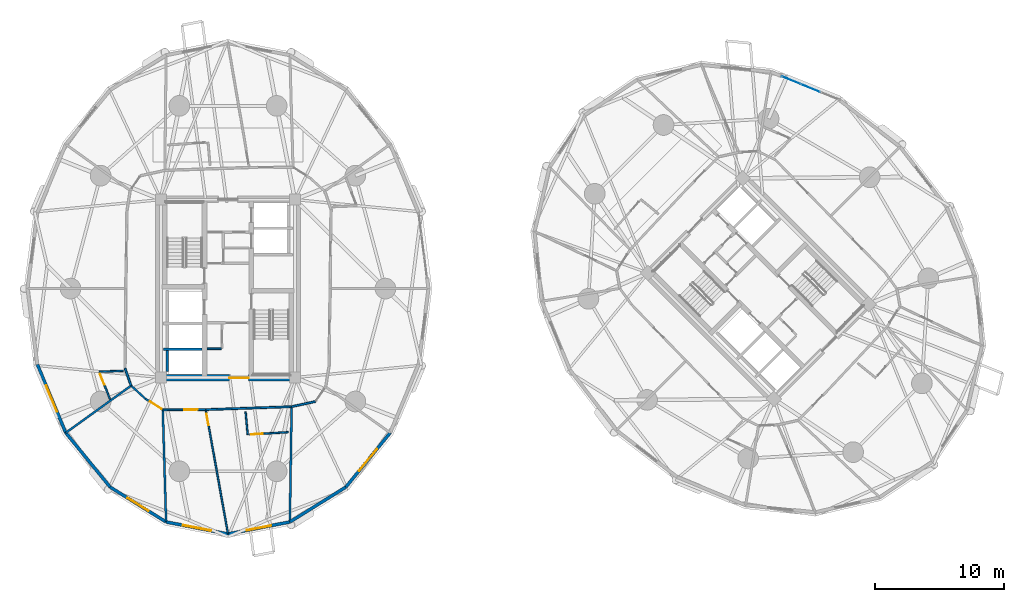
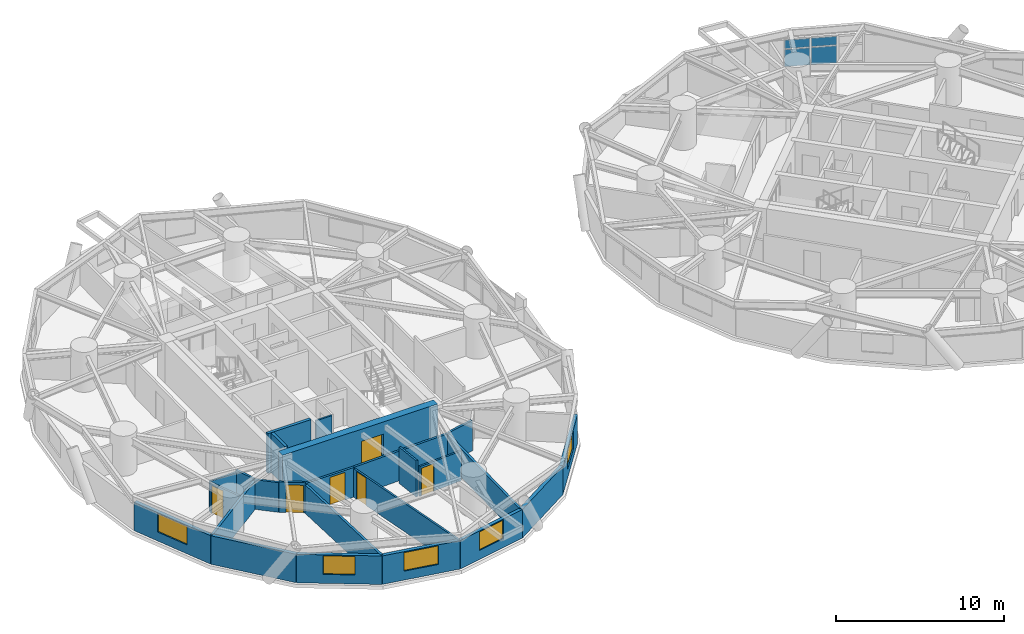
# One storey, part 9 of 18: 25 walls, 6 doors, 5 windows, 4 plates, 11 openings, 1 element without a shape of its own.
"""IFC4 building model written with IfcOpenShell, lengths in metres."""

import ifcopenshell
import ifcopenshell.guid

model = None  # the IFC model being written
_history = None  # IfcOwnerHistory: only IFC2X3 demands one
_inside = {}  # id of a spatial element -> (the spatial element, [elements in it])
_under = {}  # id of a project, library or spatial element -> (it, [spatial elements below it])
_declared = {}  # id of a project -> (the project, [libraries it declares])
_typed = {}  # id of a type object -> (the type object, [elements of that type])
_made_of = {}  # id of a material, layer set ... -> (it, [elements and type objects made of it])


def new_model(schema):
    """Start an empty IFC model of exactly this schema.

    Asked for "IFC4X3", IfcOpenShell would pick the latest addendum, in which some entities
    have other attributes; the version numbers below select the first issue.
    IFC2X3 requires an IfcOwnerHistory on every rooted entity: one is made here for all.
    """
    global model, _history
    if schema == "IFC4X3":
        model = ifcopenshell.file(schema_version=(4, 3, 0, 0))
    else:
        model = ifcopenshell.file(schema=schema)
    _inside.clear()
    _under.clear()
    _declared.clear()
    _typed.clear()
    _made_of.clear()
    _history = None
    if model.schema == "IFC2X3":
        org = make("IfcOrganization", Name="unknown")
        user = make(
            "IfcPersonAndOrganization",
            ThePerson=make("IfcPerson", FamilyName="unknown"),
            TheOrganization=org,
        )
        app = make(
            "IfcApplication",
            ApplicationDeveloper=org,
            Version="unknown",
            ApplicationFullName="unknown",
            ApplicationIdentifier="unknown",
        )
        _history = make(
            "IfcOwnerHistory",
            OwningUser=user,
            OwningApplication=app,
            ChangeAction="ADDED",
            CreationDate=0,
        )
    return model


def make(cls, **values):
    """One entity of the class cls with the attributes given. An attribute that is None is left unset."""
    return model.create_entity(
        cls, **{name: value for name, value in values.items() if value is not None}
    )


def rooted(cls, **values):
    """An entity with a GlobalId (a new one), such as an element, a storey or a relation."""
    return make(cls, GlobalId=ifcopenshell.guid.new(), OwnerHistory=_history, **values)


def si_unit(unit_type, name, prefix=None):
    """IfcSIUnit, for example si_unit("LENGTHUNIT", "METRE", prefix="MILLI")."""
    return make("IfcSIUnit", UnitType=unit_type, Prefix=prefix, Name=name)


def assignment(units):
    """IfcUnitAssignment: the units of a project."""
    return None if units is None else make("IfcUnitAssignment", Units=units)


def point(xyz):
    """IfcCartesianPoint."""
    return None if xyz is None else make("IfcCartesianPoint", Coordinates=xyz)


def direction(xyz):
    """IfcDirection."""
    return None if xyz is None else make("IfcDirection", DirectionRatios=xyz)


def frame(location, z_axis=None, x_axis=None):
    """IfcAxis2Placement3D, a coordinate frame: its origin and axes. An axis left out is left unset."""
    return make(
        "IfcAxis2Placement3D",
        Location=point(location),
        Axis=direction(z_axis),
        RefDirection=direction(x_axis),
    )


def frame_2d(location, x_axis=None):
    """IfcAxis2Placement2D, a coordinate frame in the plane: its origin and x axis."""
    return make(
        "IfcAxis2Placement2D", Location=point(location), RefDirection=direction(x_axis)
    )


def origin():
    """The frame at (0, 0, 0) with its axes left unset."""
    return frame((0.0, 0.0, 0.0))


def origin_2d():
    """The frame at (0, 0) in the plane with its x axis left unset."""
    return frame_2d((0.0, 0.0))


def place(relative_to, where):
    """IfcLocalPlacement: puts the frame where relative to a parent placement (None: the world)."""
    return make(
        "IfcLocalPlacement", PlacementRelTo=relative_to, RelativePlacement=where
    )


def context(
    kind, dimensions, precision=None, world=None, true_north=None, identifier=None
):
    """IfcGeometricRepresentationContext, for example the 3D "Model" context."""
    return make(
        "IfcGeometricRepresentationContext",
        ContextIdentifier=identifier,
        ContextType=kind,
        CoordinateSpaceDimension=dimensions,
        Precision=precision,
        WorldCoordinateSystem=world,
        TrueNorth=true_north,
    )


def subcontext(parent, identifier, kind, view, scale=None):
    """IfcGeometricRepresentationSubContext, for example "Body" below "Model"."""
    return make(
        "IfcGeometricRepresentationSubContext",
        ContextIdentifier=identifier,
        ContextType=kind,
        ParentContext=parent,
        TargetScale=scale,
        TargetView=view,
    )


def project(units=None, contexts=None):
    """IfcProject with its units and contexts."""
    return rooted(
        "IfcProject",
        Name="project",
        RepresentationContexts=contexts,
        UnitsInContext=assignment(units),
    )


def spatial(cls, under=None, at=None, **own):
    """A site, building, storey or space (cls), placed at a placement, below another one or the project."""
    s = rooted(cls, ObjectPlacement=at, **own)
    if under is not None:
        _under.setdefault(under.id(), (under, []))[1].append(s)
    return s


def profile(cls, at=None, kind="AREA", **sizes):
    """A parametric profile (cls). Its sizes go by their IFC names, for example OverallWidth=200.0."""
    return make(cls, ProfileType=kind, Position=at, **sizes)


def rectangle(**sizes):
    """IfcRectangleProfileDef."""
    return profile("IfcRectangleProfileDef", **sizes)


def extrude(swept, where, along, depth):
    """IfcExtrudedAreaSolid: the profile swept, set in the frame where, extruded along a direction by depth."""
    return make(
        "IfcExtrudedAreaSolid",
        SweptArea=swept,
        Position=where,
        ExtrudedDirection=direction(along),
        Depth=depth,
    )


def shape(context_of_items, identifier, shape_type, items):
    """IfcShapeRepresentation: the items that make up one representation, for example the "Body"."""
    return make(
        "IfcShapeRepresentation",
        ContextOfItems=context_of_items,
        RepresentationIdentifier=identifier,
        RepresentationType=shape_type,
        Items=items,
    )


def source(mapping_origin, context_of_items, identifier, shape_type, items):
    """IfcRepresentationMap: a shape defined once, which mapped items show again and again."""
    return make(
        "IfcRepresentationMap",
        MappingOrigin=mapping_origin,
        MappedRepresentation=shape(context_of_items, identifier, shape_type, items),
    )


def transform(
    local_origin,
    x_axis=None,
    y_axis=None,
    z_axis=None,
    scale=None,
    scale2=None,
    scale3=None,
    uniform=True,
):
    """IfcCartesianTransformationOperator3D, or its non-uniform kind. x_axis, y_axis, z_axis: its Axis1, 2, 3."""
    if uniform:
        return make(
            "IfcCartesianTransformationOperator3D",
            Axis1=direction(x_axis),
            Axis2=direction(y_axis),
            LocalOrigin=point(local_origin),
            Scale=scale,
            Axis3=direction(z_axis),
        )
    return make(
        "IfcCartesianTransformationOperator3DnonUniform",
        Axis1=direction(x_axis),
        Axis2=direction(y_axis),
        LocalOrigin=point(local_origin),
        Scale=scale,
        Axis3=direction(z_axis),
        Scale2=scale2,
        Scale3=scale3,
    )


def mapped(mapping_source, mapping_target):
    """IfcMappedItem: shows the shape of a source again, moved by a transform."""
    return make(
        "IfcMappedItem", MappingSource=mapping_source, MappingTarget=mapping_target
    )


def material(Name=None, Category=None):
    """IfcMaterial."""
    return make("IfcMaterial", Name=Name, Category=Category)


def layer(
    of_material, thickness, ventilated=None, Name=None, Category=None, Priority=None
):
    """IfcMaterialLayer: one layer of a wall or slab, of a material (None: an air gap)."""
    return make(
        "IfcMaterialLayer",
        Material=of_material,
        LayerThickness=thickness,
        IsVentilated=ventilated,
        Name=Name,
        Category=Category,
        Priority=Priority,
    )


def layer_set(layers, Name=None):
    """IfcMaterialLayerSet."""
    return make("IfcMaterialLayerSet", MaterialLayers=layers, LayerSetName=Name)


def made_of(thing, what):
    """Note that an element or type object is made of a material, layer set ...; save() writes the relation."""
    if what is not None:
        _made_of.setdefault(what.id(), (what, []))[1].append(thing)
    return thing


def type_object(cls, material=None, **own):
    """A type object (cls), such as IfcWallType, which elements share."""
    return made_of(rooted(cls, **own), material)


def element(
    cls,
    number,
    at=None,
    inside=None,
    cuts=None,
    type_object=None,
    material=None,
    context=None,
    identifier="Body",
    shape_type=None,
    held_by="IfcProductDefinitionShape",
    body=None,
    shapes=None,
    **own,
):
    """One element of the class cls, such as IfcWall. Its Tag is "e" and its number.

    at: its placement. inside: the storey or other place that contains it. cuts: it is an
    opening in that element (IfcRelVoidsElement). A single representation is given by context,
    identifier, shape_type and body (its items); several are given by shapes. held_by: the class
    of the entity that holds the representations. save() writes the other relations.
    """
    e = rooted(cls, Tag="e%d" % number, ObjectPlacement=at, **own)
    if body is not None:
        shapes = [shape(context, identifier, shape_type, body)]
    if shapes is not None:
        e.Representation = make(held_by, Representations=shapes)
    if inside is not None:
        _inside.setdefault(inside.id(), (inside, []))[1].append(e)
    if cuts is not None:
        rooted(
            "IfcRelVoidsElement", RelatingBuildingElement=cuts, RelatedOpeningElement=e
        )
    if type_object is not None:
        _typed.setdefault(type_object.id(), (type_object, []))[1].append(e)
    return made_of(e, material)


def fill(opening, filler):
    """IfcRelFillsElement: the door or window that sits in an opening."""
    return rooted(
        "IfcRelFillsElement",
        RelatingOpeningElement=opening,
        RelatedBuildingElement=filler,
    )


def aggregate(whole, parts):
    """IfcRelAggregates: a whole, such as a stair, and the parts it consists of."""
    return rooted("IfcRelAggregates", RelatingObject=whole, RelatedObjects=parts)


def save(model, path):
    """Write the relations noted so far, then the file.

    IfcRelAggregates (storeys below a building ...), IfcRelContainedInSpatialStructure (elements
    in a storey), IfcRelDefinesByType, IfcRelAssociatesMaterial and IfcRelDeclares: one each for
    every whole, place, type object, material and project.
    """
    for whole, parts in _under.values():
        aggregate(whole, parts)
    for where, things in _inside.values():
        rooted(
            "IfcRelContainedInSpatialStructure",
            RelatedElements=things,
            RelatingStructure=where,
        )
    for kind, things in _typed.values():
        rooted("IfcRelDefinesByType", RelatedObjects=things, RelatingType=kind)
    for what, things in _made_of.values():
        rooted("IfcRelAssociatesMaterial", RelatedObjects=things, RelatingMaterial=what)
    for by, libraries in _declared.values():
        rooted("IfcRelDeclares", RelatingContext=by, RelatedDefinitions=libraries)
    model.write(path)


model = new_model("IFC4")

# Units and contexts
model_context = context("Model", 3, precision=1e-05, world=origin(), true_north=direction((0.0, 1.0)))
body_context = subcontext(model_context, "Body", "Model", "MODEL_VIEW")
ifc_project = project(units=[si_unit("LENGTHUNIT", "METRE"), si_unit("AREAUNIT", "SQUARE_METRE"), si_unit("VOLUMEUNIT", "CUBIC_METRE"), si_unit("PLANEANGLEUNIT", "RADIAN"), si_unit("MASSUNIT", "GRAM", prefix="KILO")], contexts=[model_context])

# Site, building, storey
site_placement = place(None, origin())
site = spatial("IfcSite", under=ifc_project, at=site_placement, CompositionType="ELEMENT")
building_placement = place(site_placement, origin())
building = spatial("IfcBuilding", under=site, at=building_placement, Name="Cununo Teusaquillo Station Towers", CompositionType="ELEMENT")
storey_placement = place(building_placement, frame((0.0, 0.0, 36.550048828125)))
storey = spatial("IfcBuildingStorey", under=building, at=storey_placement, Name="L10", CompositionType="ELEMENT", Elevation=36.550048828125)

# Curtain wall, plates
ifc_material_1 = material(Name="Ceramic-fritted dark low-E double glazing", Category="glass")
ifc_layer_1 = layer(ifc_material_1, 0.179931640625)
ifc_layer_set_1 = layer_set([ifc_layer_1], Name="Ceramic-fritted dark low-E double glazing")
curtain_wall_type = type_object("IfcCurtainWallType", Name="CW-SYS-02", PredefinedType="USERDEFINED", material=ifc_layer_set_1)
curtain_wall_placement = place(storey_placement, origin())
curtain_wall = element("IfcCurtainWall", 1, at=curtain_wall_placement, inside=storey, type_object=curtain_wall_type, Name="L10 Tower B Facade Curtain Wall C01", ObjectType="FRITTED GLAZING", PredefinedType="USERDEFINED")
ifc_material_2 = material(Name="Ceramic-fritted dark low-E double glazing", Category="glass")
ifc_layer_2 = layer(ifc_material_2, 0.028076171875)
ifc_layer_set_2 = layer_set([ifc_layer_2], Name="Ceramic-fritted dark low-E double glazing")
plate_type = type_object("IfcPlateType", Name="CWP-FRIT-28", PredefinedType="CURTAIN_PANEL", material=ifc_layer_set_2)
shared_shape_1 = source(origin(), body_context, "Body", "SweptSolid", [
    extrude(rectangle(XDim=1.52099609375, YDim=0.028076171875, at=origin_2d()), origin(), (0.0, 0.0, 1.0), 1.241943359375),
])
plate_1_placement = place(storey_placement, frame((60.03564453125, 40.610595703125, 0.06982421875), z_axis=(0.0, 0.0, 1.0), x_axis=(0.924552379146, -0.381054980568, 0.0)))
plate_1 = element("IfcPlate", 2, at=plate_1_placement, type_object=plate_type, Name="CW-02 panel 1.1", PredefinedType="CURTAIN_PANEL", context=body_context, shape_type="MappedRepresentation", body=[
    mapped(shared_shape_1, transform((0.0, 0.0, 0.0), x_axis=(1.0, 0.0, 0.0), y_axis=(0.0, 1.0, 0.0), z_axis=(0.0, 0.0, 1.0), scale=1.0)),
])
shared_shape_2 = source(origin(), body_context, "Body", "SweptSolid", [
    extrude(rectangle(XDim=1.52099609375, YDim=0.028076171875, at=origin_2d()), origin(), (0.0, 0.0, 1.0), 0.62109375),
])
plate_2_placement = place(storey_placement, frame((60.03564453125, 40.610595703125, 1.3818359375), z_axis=(0.0, 0.0, 1.0), x_axis=(0.924552379146, -0.381054980568, 0.0)))
plate_2 = element("IfcPlate", 3, at=plate_2_placement, type_object=plate_type, Name="CW-02 panel 1.2", PredefinedType="CURTAIN_PANEL", context=body_context, shape_type="MappedRepresentation", body=[
    mapped(shared_shape_2, transform((0.0, 0.0, 0.0), x_axis=(1.0, 0.0, 0.0), y_axis=(0.0, 1.0, 0.0), z_axis=(0.0, 0.0, 1.0), scale=1.0)),
])
shared_shape_3 = source(origin(), body_context, "Body", "SweptSolid", [
    extrude(rectangle(XDim=1.555908203125, YDim=0.028076171875, at=origin_2d()), origin(), (0.0, 0.0, 1.0), 1.241943359375),
])
plate_3_placement = place(storey_placement, frame((61.52294921875, 39.99755859375, 0.06982421875), z_axis=(0.0, 0.0, 1.0), x_axis=(0.924552379146, -0.381054980568, 0.0)))
plate_3 = element("IfcPlate", 4, at=plate_3_placement, type_object=plate_type, Name="CW-02 panel 2.1", PredefinedType="CURTAIN_PANEL", context=body_context, shape_type="MappedRepresentation", body=[
    mapped(shared_shape_3, transform((0.0, 0.0, 0.0), x_axis=(1.0, 0.0, 0.0), y_axis=(0.0, 1.0, 0.0), z_axis=(0.0, 0.0, 1.0), scale=1.0)),
])
shared_shape_4 = source(origin(), body_context, "Body", "SweptSolid", [
    extrude(rectangle(XDim=1.555908203125, YDim=0.028076171875, at=origin_2d()), origin(), (0.0, 0.0, 1.0), 0.62109375),
])
plate_4_placement = place(storey_placement, frame((61.52294921875, 39.99755859375, 1.3818359375), z_axis=(0.0, 0.0, 1.0), x_axis=(0.924552379146, -0.381054980568, 0.0)))
plate_4 = element("IfcPlate", 5, at=plate_4_placement, type_object=plate_type, Name="CW-02 panel 2.2", PredefinedType="CURTAIN_PANEL", context=body_context, shape_type="MappedRepresentation", body=[
    mapped(shared_shape_4, transform((0.0, 0.0, 0.0), x_axis=(1.0, 0.0, 0.0), y_axis=(0.0, 1.0, 0.0), z_axis=(0.0, 0.0, 1.0), scale=1.0)),
])
aggregate(curtain_wall, [plate_1, plate_2, plate_3, plate_4])

# Walls
ifc_material_3 = material(Name="Concrete C50/60", Category="concrete")
ifc_layer_3 = layer(ifc_material_3, 0.199951171875)
ifc_layer_set_3 = layer_set([ifc_layer_3], Name="Concrete C50/60")
wall_type_1 = type_object("IfcWallType", Name="WL-CORE-200", PredefinedType="SHEAR", material=ifc_layer_set_3)
wall_1_placement = place(storey_placement, frame((11.52001953125, 19.824951171875, 0.0), z_axis=(0.0, 0.0, 1.0), x_axis=(1.0, 0.0, 0.0)))
element("IfcWall", 6, at=wall_1_placement, inside=storey, type_object=wall_type_1, Name="L10 Tower A High-Rise Lift Hoistway Divider Shear Wall", PredefinedType="SHEAR", context=body_context, shape_type="SweptSolid", body=[
    extrude(rectangle(XDim=2.969970703125, YDim=0.199951171875, at=frame_2d((1.48486328125, 0.0))), origin(), (0.0, 0.0, 1.0), 2.909912109375),
])
wall_2_placement = place(storey_placement, frame((11.820068359375, 18.070068359375, 0.0), z_axis=(0.0, 0.0, 1.0), x_axis=(0.0, 1.0, 0.0)))
element("IfcWall", 7, at=wall_2_placement, inside=storey, type_object=wall_type_1, Name="L10 Tower A High-Rise Lift 1 Shaft Rear Shear Wall", PredefinedType="SHEAR", context=body_context, shape_type="SweptSolid", body=[
    extrude(rectangle(XDim=1.635009765625, YDim=0.199951171875, at=frame_2d((0.8173828125, 0.0))), origin(), (0.0, 0.0, 1.0), 2.909912109375),
])

# Wall, opening, door
ifc_material_4 = material(Name="Concrete C60/75", Category="concrete")
ifc_layer_4 = layer(ifc_material_4, 0.5)
ifc_layer_set_4 = layer_set([ifc_layer_4], Name="Concrete C60/75")
wall_type_2 = type_object("IfcWallType", Name="WL-CORE-500", PredefinedType="SHEAR", material=ifc_layer_set_4)
wall_3_placement = place(storey_placement, frame((11.14990234375, 17.60009765625, 0.0), z_axis=(0.0, 0.0, 1.0), x_axis=(1.0, 0.0, 0.0)))
wall_3 = element("IfcWall", 8, at=wall_3_placement, inside=storey, type_object=wall_type_2, Name="L10 Tower A Core Shear Wall S", PredefinedType="SHEAR", context=body_context, shape_type="SweptSolid", body=[
    extrude(rectangle(XDim=10.7001953125, YDim=0.5, at=frame_2d((5.35009765625, 0.0))), origin(), (0.0, 0.0, 1.0), 2.909912109375),
])
shared_shape_5 = source(origin(), body_context, "Body", "SweptSolid", [
    extrude(rectangle(XDim=1.5, YDim=2.02001953125, at=frame_2d((0.75, 1.010009765625))), frame((0.0, 0.260009765625, 0.0), z_axis=(0.0, -1.0, 0.0), x_axis=(1.0, 0.0, 0.0)), (0.0, 0.0, 1.0), 0.52001953125),
])
opening_1_placement = place(wall_3_placement, frame((5.449951171875, 0.0, 0.0)))
opening_1 = element("IfcOpeningElement", 9, at=opening_1_placement, cuts=wall_3, Name="Opening D-LB1", PredefinedType="OPENING", context=body_context, shape_type="MappedRepresentation", body=[
    mapped(shared_shape_5, transform((0.0, 0.0, 0.0), x_axis=(1.0, 0.0, 0.0), y_axis=(0.0, 1.0, 0.0), z_axis=(0.0, 0.0, 1.0), scale=1.0)),
])
ifc_material_5 = material(Name="Galvanised fire-rated hollow steel door assembly", Category="steel")
door_type_1 = type_object("IfcDoorType", Name="DR-LOBBY-1500", OperationType="DOUBLE_DOOR_SINGLE_SWING", PredefinedType="DOOR", material=ifc_material_5)
shared_shape_6 = source(origin(), body_context, "Body", "SweptSolid", [
    extrude(rectangle(XDim=1.5, YDim=2.02001953125, at=frame_2d((0.75, 1.010009765625))), frame((0.0, 0.02490234375, 0.0), z_axis=(0.0, -1.0, 0.0), x_axis=(1.0, 0.0, 0.0)), (0.0, 0.0, 1.0), 0.050048828125),
])
door_1_placement = place(opening_1_placement, origin())
door_1 = element("IfcDoor", 10, at=door_1_placement, inside=storey, type_object=door_type_1, Name="L10 Tower A South Core Lift Lobby Door", OperationType="DOUBLE_DOOR_SINGLE_SWING", OverallHeight=2.02001953125, OverallWidth=1.5, PredefinedType="DOOR", context=body_context, shape_type="MappedRepresentation", body=[
    mapped(shared_shape_6, transform((0.0, 0.0, 0.0), x_axis=(1.0, 0.0, 0.0), y_axis=(0.0, 1.0, 0.0), z_axis=(0.0, 0.0, 1.0), scale=1.0)),
])
fill(opening_1, door_1)

# Wall, opening, window
ifc_material_6 = material(Name="Precast concrete C40/50", Category="concrete")
ifc_layer_5 = layer(ifc_material_6, 0.239990234375)
ifc_layer_set_5 = layer_set([ifc_layer_5], Name="Precast concrete C40/50")
wall_type_3 = type_object("IfcWallType", Name="WL-EXT-240", PredefinedType="SOLIDWALL", material=ifc_layer_set_5)
wall_4_placement = place(storey_placement, frame((3.9609375, 13.349609375, 0.0), z_axis=(0.0, 0.0, 1.0), x_axis=(-0.38430970593, 0.923204229804, 0.0)))
wall_4 = element("IfcWall", 11, at=wall_4_placement, inside=storey, type_object=wall_type_3, Name="L10 Tower A Exterior Facade Wall C11", PredefinedType="SOLIDWALL", context=body_context, shape_type="SweptSolid", body=[
    extrude(rectangle(XDim=5.728271484375, YDim=0.239990234375, at=frame_2d((2.8642578125, 0.0))), origin(), (0.0, 0.0, 1.0), 2.072998046875),
])
shared_shape_7 = source(origin(), body_context, "Body", "SweptSolid", [
    extrude(rectangle(XDim=2.199951171875, YDim=1.35009765625, at=frame_2d((1.10009765625, 0.675048828125))), frame((0.0, 0.1298828125, 0.0), z_axis=(0.0, -1.0, 0.0), x_axis=(1.0, 0.0, 0.0)), (0.0, 0.0, 1.0), 0.260009765625),
])
opening_2_placement = place(wall_4_placement, frame((1.763916015625, 0.0, 0.64990234375)))
opening_2 = element("IfcOpeningElement", 12, at=opening_2_placement, cuts=wall_4, Name="Opening WN-01", PredefinedType="OPENING", context=body_context, shape_type="MappedRepresentation", body=[
    mapped(shared_shape_7, transform((0.0, 0.0, 0.0), x_axis=(1.0, 0.0, 0.0), y_axis=(0.0, 1.0, 0.0), z_axis=(0.0, 0.0, 1.0), scale=1.0)),
])
ifc_material_7 = material(Name="Ceramic-fritted dark low-E double glazing", Category="glass")
window_type_1 = type_object("IfcWindowType", Name="WIN-FRIT-2200", PartitioningType="DOUBLE_PANEL_VERTICAL", PredefinedType="WINDOW", material=ifc_material_7)
shared_shape_8 = source(origin(), body_context, "Body", "SweptSolid", [
    extrude(rectangle(XDim=2.199951171875, YDim=1.35009765625, at=frame_2d((1.10009765625, 0.675048828125))), frame((0.0, 0.030029296875, 0.0), z_axis=(0.0, -1.0, 0.0), x_axis=(1.0, 0.0, 0.0)), (0.0, 0.0, 1.0), 0.06005859375),
])
window_1_placement = place(opening_2_placement, origin())
window_1 = element("IfcWindow", 13, at=window_1_placement, inside=storey, type_object=window_type_1, Name="L10 Tower A Facade Window C11", OverallHeight=1.35009765625, OverallWidth=2.199951171875, PartitioningType="DOUBLE_PANEL_VERTICAL", PredefinedType="WINDOW", context=body_context, shape_type="MappedRepresentation", body=[
    mapped(shared_shape_8, transform((0.0, 0.0, 0.0), x_axis=(1.0, 0.0, 0.0), y_axis=(0.0, 1.0, 0.0), z_axis=(0.0, 0.0, 1.0), scale=1.0)),
])
fill(opening_2, window_1)

# Wall
wall_5_placement = place(storey_placement, frame((7.389892578125, 9.15283203125, 0.0), z_axis=(0.0, 0.0, 1.0), x_axis=(-0.632710215588, 0.774388651189, 0.0)))
element("IfcWall", 14, at=wall_5_placement, inside=storey, type_object=wall_type_3, Name="L10 Tower A Exterior Facade Wall C12", PredefinedType="SOLIDWALL", context=body_context, shape_type="SweptSolid", body=[
    extrude(rectangle(XDim=5.41943359375, YDim=0.239990234375, at=frame_2d((2.709716796875, 0.0))), origin(), (0.0, 0.0, 1.0), 2.072998046875),
])

# Wall, opening, window
wall_6_placement = place(storey_placement, frame((11.71044921875, 6.45849609375, 0.0), z_axis=(0.0, 0.0, 1.0), x_axis=(-0.848528534887, 0.529149624853, 0.0)))
wall_6 = element("IfcWall", 15, at=wall_6_placement, inside=storey, type_object=wall_type_3, Name="L10 Tower A Exterior Facade Wall C13", PredefinedType="SOLIDWALL", context=body_context, shape_type="SweptSolid", body=[
    extrude(rectangle(XDim=5.091796875, YDim=0.239990234375, at=frame_2d((2.5458984375, 0.0))), origin(), (0.0, 0.0, 1.0), 2.072998046875),
])
shared_shape_9 = source(origin(), body_context, "Body", "SweptSolid", [
    extrude(rectangle(XDim=1.89990234375, YDim=1.35009765625, at=frame_2d((0.949951171875, 0.675048828125))), frame((0.0, 0.1298828125, 0.0), z_axis=(0.0, -1.0, 0.0), x_axis=(1.0, 0.0, 0.0)), (0.0, 0.0, 1.0), 0.260009765625),
])
opening_3_placement = place(wall_6_placement, frame((1.595947265625, 0.0, 0.64990234375)))
opening_3 = element("IfcOpeningElement", 16, at=opening_3_placement, cuts=wall_6, Name="Opening WN-02", PredefinedType="OPENING", context=body_context, shape_type="MappedRepresentation", body=[
    mapped(shared_shape_9, transform((0.0, 0.0, 0.0), x_axis=(1.0, 0.0, 0.0), y_axis=(0.0, 1.0, 0.0), z_axis=(0.0, 0.0, 1.0), scale=1.0)),
])
ifc_material_8 = material(Name="Operable acoustic tinted low-E double glazing", Category="glass")
window_type_2 = type_object("IfcWindowType", Name="WIN-OPER-1900", PartitioningType="DOUBLE_PANEL_VERTICAL", PredefinedType="WINDOW", material=ifc_material_8)
shared_shape_10 = source(origin(), body_context, "Body", "SweptSolid", [
    extrude(rectangle(XDim=1.89990234375, YDim=1.35009765625, at=frame_2d((0.949951171875, 0.675048828125))), frame((0.0, 0.030029296875, 0.0), z_axis=(0.0, -1.0, 0.0), x_axis=(1.0, 0.0, 0.0)), (0.0, 0.0, 1.0), 0.06005859375),
])
window_2_placement = place(opening_3_placement, origin())
window_2 = element("IfcWindow", 17, at=window_2_placement, inside=storey, type_object=window_type_2, Name="L10 Tower A Facade Window C13", OverallHeight=1.35009765625, OverallWidth=1.89990234375, PartitioningType="DOUBLE_PANEL_VERTICAL", PredefinedType="WINDOW", context=body_context, shape_type="MappedRepresentation", body=[
    mapped(shared_shape_10, transform((0.0, 0.0, 0.0), x_axis=(1.0, 0.0, 0.0), y_axis=(0.0, 1.0, 0.0), z_axis=(0.0, 0.0, 1.0), scale=1.0)),
])
fill(opening_3, window_2)

wall_7_placement = place(storey_placement, frame((16.5, 5.530029296875, 0.0), z_axis=(0.0, 0.0, 1.0), x_axis=(-0.981724094622, 0.190309752872, 0.0)))
wall_7 = element("IfcWall", 18, at=wall_7_placement, inside=storey, type_object=wall_type_3, Name="L10 Tower A Exterior Facade Wall C14", PredefinedType="SOLIDWALL", context=body_context, shape_type="SweptSolid", body=[
    extrude(rectangle(XDim=4.878662109375, YDim=0.239990234375, at=frame_2d((2.439453125, 0.0))), origin(), (0.0, 0.0, 1.0), 2.072998046875),
])
opening_4_placement = place(wall_7_placement, frame((1.339111328125, 0.0, 0.64990234375)))
opening_4 = element("IfcOpeningElement", 19, at=opening_4_placement, cuts=wall_7, Name="Opening WN-01", PredefinedType="OPENING", context=body_context, shape_type="MappedRepresentation", body=[
    mapped(shared_shape_7, transform((0.0, 0.0, 0.0), x_axis=(1.0, 0.0, 0.0), y_axis=(0.0, 1.0, 0.0), z_axis=(0.0, 0.0, 1.0), scale=1.0)),
])
window_3_placement = place(opening_4_placement, origin())
window_3 = element("IfcWindow", 20, at=window_3_placement, inside=storey, type_object=window_type_1, Name="L10 Tower A Facade Window C14", OverallHeight=1.35009765625, OverallWidth=2.199951171875, PartitioningType="DOUBLE_PANEL_VERTICAL", PredefinedType="WINDOW", context=body_context, shape_type="MappedRepresentation", body=[
    mapped(shared_shape_8, transform((0.0, 0.0, 0.0), x_axis=(1.0, 0.0, 0.0), y_axis=(0.0, 1.0, 0.0), z_axis=(0.0, 0.0, 1.0), scale=1.0)),
])
fill(opening_4, window_3)

wall_8_placement = place(storey_placement, frame((21.28955078125, 6.45849609375, 0.0), z_axis=(0.0, 0.0, 1.0), x_axis=(-0.981724094622, -0.190309752872, 0.0)))
wall_8 = element("IfcWall", 21, at=wall_8_placement, inside=storey, type_object=wall_type_3, Name="L10 Tower A Exterior Facade Wall C15", PredefinedType="SOLIDWALL", context=body_context, shape_type="SweptSolid", body=[
    extrude(rectangle(XDim=4.878662109375, YDim=0.239990234375, at=frame_2d((2.439453125, 0.0))), origin(), (0.0, 0.0, 1.0), 2.072998046875),
])
opening_5_placement = place(wall_8_placement, frame((1.489013671875, 0.0, 0.64990234375)))
opening_5 = element("IfcOpeningElement", 22, at=opening_5_placement, cuts=wall_8, Name="Opening WN-02", PredefinedType="OPENING", context=body_context, shape_type="MappedRepresentation", body=[
    mapped(shared_shape_9, transform((0.0, 0.0, 0.0), x_axis=(1.0, 0.0, 0.0), y_axis=(0.0, 1.0, 0.0), z_axis=(0.0, 0.0, 1.0), scale=1.0)),
])
window_4_placement = place(opening_5_placement, origin())
window_4 = element("IfcWindow", 23, at=window_4_placement, inside=storey, type_object=window_type_2, Name="L10 Tower A Facade Window C15", OverallHeight=1.35009765625, OverallWidth=1.89990234375, PartitioningType="DOUBLE_PANEL_VERTICAL", PredefinedType="WINDOW", context=body_context, shape_type="MappedRepresentation", body=[
    mapped(shared_shape_10, transform((0.0, 0.0, 0.0), x_axis=(1.0, 0.0, 0.0), y_axis=(0.0, 1.0, 0.0), z_axis=(0.0, 0.0, 1.0), scale=1.0)),
])
fill(opening_5, window_4)

# Wall
wall_9_placement = place(storey_placement, frame((25.610107421875, 9.15283203125, 0.0), z_axis=(0.0, 0.0, 1.0), x_axis=(-0.848528534887, -0.529149624853, 0.0)))
element("IfcWall", 24, at=wall_9_placement, inside=storey, type_object=wall_type_3, Name="L10 Tower A Exterior Facade Wall C16", PredefinedType="SOLIDWALL", context=body_context, shape_type="SweptSolid", body=[
    extrude(rectangle(XDim=5.091796875, YDim=0.239990234375, at=frame_2d((2.5458984375, 0.0))), origin(), (0.0, 0.0, 1.0), 2.072998046875),
])

# Wall, opening, window
wall_10_placement = place(storey_placement, frame((29.0390625, 13.349609375, 0.0), z_axis=(0.0, 0.0, 1.0), x_axis=(-0.632710215588, -0.774388651189, 0.0)))
wall_10 = element("IfcWall", 25, at=wall_10_placement, inside=storey, type_object=wall_type_3, Name="L10 Tower A Exterior Facade Wall C17", PredefinedType="SOLIDWALL", context=body_context, shape_type="SweptSolid", body=[
    extrude(rectangle(XDim=5.41943359375, YDim=0.239990234375, at=frame_2d((2.709716796875, 0.0))), origin(), (0.0, 0.0, 1.0), 2.072998046875),
])
opening_6_placement = place(wall_10_placement, frame((1.610107421875, 0.0, 0.64990234375)))
opening_6 = element("IfcOpeningElement", 26, at=opening_6_placement, cuts=wall_10, Name="Opening WN-01", PredefinedType="OPENING", context=body_context, shape_type="MappedRepresentation", body=[
    mapped(shared_shape_7, transform((0.0, 0.0, 0.0), x_axis=(1.0, 0.0, 0.0), y_axis=(0.0, 1.0, 0.0), z_axis=(0.0, 0.0, 1.0), scale=1.0)),
])
window_5_placement = place(opening_6_placement, origin())
window_5 = element("IfcWindow", 27, at=window_5_placement, inside=storey, type_object=window_type_1, Name="L10 Tower A Facade Window C17", OverallHeight=1.35009765625, OverallWidth=2.199951171875, PartitioningType="DOUBLE_PANEL_VERTICAL", PredefinedType="WINDOW", context=body_context, shape_type="MappedRepresentation", body=[
    mapped(shared_shape_8, transform((0.0, 0.0, 0.0), x_axis=(1.0, 0.0, 0.0), y_axis=(0.0, 1.0, 0.0), z_axis=(0.0, 0.0, 1.0), scale=1.0)),
])
fill(opening_6, window_5)

# Walls
ifc_material_9 = material(Name="Fire-rated gypsum plasterboard partition assembly", Category="gypsum")
ifc_layer_6 = layer(ifc_material_9, 0.125)
ifc_layer_set_6 = layer_set([ifc_layer_6], Name="Fire-rated gypsum plasterboard partition assembly")
wall_type_4 = type_object("IfcWallType", Name="WL-PART-125", PredefinedType="PARTITIONING", material=ifc_layer_set_6)
wall_11_placement = place(storey_placement, frame((14.8798828125, 19.85009765625, 0.0), z_axis=(0.0, 0.0, 1.0), x_axis=(1.0, 0.0, 0.0)))
element("IfcWall", 28, at=wall_11_placement, inside=storey, type_object=wall_type_4, Name="L10 Tower A North-West Lobby Store South Wall", PredefinedType="PARTITIONING", context=body_context, shape_type="SweptSolid", body=[
    extrude(rectangle(XDim=1.10009765625, YDim=0.125, at=frame_2d((0.550048828125, 0.0))), origin(), (0.0, 0.0, 1.0), 2.635009765625),
])
wall_12_placement = place(storey_placement, frame((8.40869140625, 18.142578125, 0.0), z_axis=(0.0, 0.0, 1.0), x_axis=(-0.999294242072, -0.037563516369, 0.0)))
element("IfcWall", 29, at=wall_12_placement, inside=storey, type_object=wall_type_4, Name="L10 Tower A S06 En-suite Side Wall", PredefinedType="PARTITIONING", context=body_context, shape_type="SweptSolid", body=[
    extrude(rectangle(XDim=1.865234375, YDim=0.125, at=frame_2d((0.9326171875, 0.0))), origin(), (0.0, 0.0, 1.0), 2.204833984375),
])

# Wall, opening, door
wall_13_placement = place(storey_placement, frame((6.570068359375, 18.0078125, 0.0), z_axis=(0.0, 0.0, 1.0), x_axis=(0.365917141159, -0.930647433675, 0.0)))
wall_13 = element("IfcWall", 30, at=wall_13_placement, inside=storey, type_object=wall_type_4, Name="L10 Tower A S06 En-suite Back Wall", PredefinedType="PARTITIONING", context=body_context, shape_type="SweptSolid", body=[
    extrude(rectangle(XDim=2.22509765625, YDim=0.125, at=frame_2d((1.112548828125, 0.0))), origin(), (0.0, 0.0, 1.0), 2.158935546875),
])
shared_shape_11 = source(origin(), body_context, "Body", "SweptSolid", [
    extrude(rectangle(XDim=0.89990234375, YDim=2.0048828125, at=frame_2d((0.449951171875, 1.00244140625))), frame((0.0, 0.072509765625, 0.0), z_axis=(0.0, -1.0, 0.0), x_axis=(1.0, 0.0, 0.0)), (0.0, 0.0, 1.0), 0.14501953125),
])
opening_7_placement = place(wall_13_placement, frame((0.1201171875, 0.0, 0.0)))
opening_7 = element("IfcOpeningElement", 31, at=opening_7_placement, cuts=wall_13, Name="Opening D-IN1", PredefinedType="OPENING", context=body_context, shape_type="MappedRepresentation", body=[
    mapped(shared_shape_11, transform((0.0, 0.0, 0.0), x_axis=(1.0, 0.0, 0.0), y_axis=(0.0, 1.0, 0.0), z_axis=(0.0, 0.0, 1.0), scale=1.0)),
])
ifc_material_10 = material(Name="Acoustic solid-core hardwood leaf assembly", Category="wood")
door_type_2 = type_object("IfcDoorType", Name="DR-INT-900", OperationType="NOTDEFINED", PredefinedType="DOOR", material=ifc_material_10)
shared_shape_12 = source(origin(), body_context, "Body", "SweptSolid", [
    extrude(rectangle(XDim=0.89990234375, YDim=2.0048828125, at=frame_2d((0.449951171875, 1.00244140625))), frame((0.0, 0.02490234375, 0.0), z_axis=(0.0, -1.0, 0.0), x_axis=(1.0, 0.0, 0.0)), (0.0, 0.0, 1.0), 0.050048828125),
])
door_2_placement = place(opening_7_placement, origin())
door_2 = element("IfcDoor", 32, at=door_2_placement, inside=storey, type_object=door_type_2, Name="L10 Tower A S06 En-suite Bathroom Door", OperationType="SINGLE_SWING_RIGHT", OverallHeight=2.0048828125, OverallWidth=0.89990234375, PredefinedType="DOOR", context=body_context, shape_type="MappedRepresentation", body=[
    mapped(shared_shape_12, transform((0.0, 0.0, 0.0), x_axis=(1.0, 0.0, 0.0), y_axis=(0.0, 1.0, 0.0), z_axis=(0.0, 0.0, 1.0), scale=1.0)),
])
fill(opening_7, door_2)

wall_14_placement = place(storey_placement, frame((14.781005859375, 15.140625, 0.0), z_axis=(0.0, 0.0, 1.0), x_axis=(0.176426287524, -0.984313854962, 0.0)))
wall_14 = element("IfcWall", 33, at=wall_14_placement, inside=storey, type_object=wall_type_4, Name="L10 Tower A Diplomatic Corner Hotel Suite Suite Subdividing Wall", PredefinedType="PARTITIONING", context=body_context, shape_type="SweptSolid", body=[
    extrude(rectangle(XDim=9.743408203125, YDim=0.125, at=frame_2d((4.87158203125, 0.0))), origin(), (0.0, 0.0, 1.0), 2.072998046875),
])
opening_8_placement = place(wall_14_placement, frame((0.330078125, 0.0, 0.0)))
opening_8 = element("IfcOpeningElement", 34, at=opening_8_placement, cuts=wall_14, Name="Opening D-IN1", PredefinedType="OPENING", context=body_context, shape_type="MappedRepresentation", body=[
    mapped(shared_shape_11, transform((0.0, 0.0, 0.0), x_axis=(1.0, 0.0, 0.0), y_axis=(0.0, 1.0, 0.0), z_axis=(0.0, 0.0, 1.0), scale=1.0)),
])
door_3_placement = place(opening_8_placement, origin())
door_3 = element("IfcDoor", 35, at=door_3_placement, inside=storey, type_object=door_type_2, Name="L10 Tower A Diplomatic Corner Hotel Suite Suite Connecting Door", OperationType="SINGLE_SWING_LEFT", OverallHeight=2.0048828125, OverallWidth=0.89990234375, PredefinedType="DOOR", context=body_context, shape_type="MappedRepresentation", body=[
    mapped(shared_shape_12, transform((0.0, 0.0, 0.0), x_axis=(1.0, 0.0, 0.0), y_axis=(0.0, 1.0, 0.0), z_axis=(0.0, 0.0, 1.0), scale=1.0)),
])
fill(opening_8, door_3)

# Wall
wall_15_placement = place(storey_placement, frame((17.8603515625, 14.967529296875, 0.0), z_axis=(0.0, 0.0, 1.0), x_axis=(0.093037102593, -0.995662642435, 0.0)))
element("IfcWall", 36, at=wall_15_placement, inside=storey, type_object=wall_type_4, Name="L10 Tower A S08 En-suite Side Wall", PredefinedType="PARTITIONING", context=body_context, shape_type="SweptSolid", body=[
    extrude(rectangle(XDim=1.7685546875, YDim=0.125, at=frame_2d((0.88427734375, 0.0))), origin(), (0.0, 0.0, 1.0), 2.635009765625),
])

# Wall, opening, door
wall_16_placement = place(storey_placement, frame((18.1806640625, 13.216064453125, 0.0), z_axis=(0.0, 0.0, 1.0), x_axis=(0.998120468621, 0.061282380177, 0.0)))
wall_16 = element("IfcWall", 37, at=wall_16_placement, inside=storey, type_object=wall_type_4, Name="L10 Tower A S08 En-suite Back Wall", PredefinedType="PARTITIONING", context=body_context, shape_type="SweptSolid", body=[
    extrude(rectangle(XDim=2.995849609375, YDim=0.125, at=frame_2d((1.498046875, 0.0))), origin(), (0.0, 0.0, 1.0), 2.158935546875),
])
opening_9_placement = place(wall_16_placement, frame((0.1201171875, 0.0, 0.0)))
opening_9 = element("IfcOpeningElement", 38, at=opening_9_placement, cuts=wall_16, Name="Opening D-IN1", PredefinedType="OPENING", context=body_context, shape_type="MappedRepresentation", body=[
    mapped(shared_shape_11, transform((0.0, 0.0, 0.0), x_axis=(1.0, 0.0, 0.0), y_axis=(0.0, 1.0, 0.0), z_axis=(0.0, 0.0, 1.0), scale=1.0)),
])
door_4_placement = place(opening_9_placement, origin())
door_4 = element("IfcDoor", 39, at=door_4_placement, inside=storey, type_object=door_type_2, Name="L10 Tower A S08 En-suite Bathroom Door", OperationType="SINGLE_SWING_RIGHT", OverallHeight=2.0048828125, OverallWidth=0.89990234375, PredefinedType="DOOR", context=body_context, shape_type="MappedRepresentation", body=[
    mapped(shared_shape_12, transform((0.0, 0.0, 0.0), x_axis=(1.0, 0.0, 0.0), y_axis=(0.0, 1.0, 0.0), z_axis=(0.0, 0.0, 1.0), scale=1.0)),
])
fill(opening_9, door_4)

# Walls
ifc_material_11 = material(Name="Fire-rated gypsum plasterboard partition assembly", Category="gypsum")
ifc_layer_7 = layer(ifc_material_11, 0.14990234375)
ifc_layer_set_7 = layer_set([ifc_layer_7], Name="Fire-rated gypsum plasterboard partition assembly")
wall_type_5 = type_object("IfcWallType", Name="WL-PART-150", PredefinedType="PARTITIONING", material=ifc_layer_set_7)
wall_17_placement = place(storey_placement, frame((8.538330078125, 18.338134765625, 0.0), z_axis=(0.0, 0.0, 1.0), x_axis=(0.331358150167, -0.94350504838, 0.0)))
element("IfcWall", 40, at=wall_17_placement, inside=storey, type_object=wall_type_5, Name="L10 Tower A Corridor Ring Wall C11", PredefinedType="PARTITIONING", context=body_context, shape_type="SweptSolid", body=[
    extrude(rectangle(XDim=1.42431640625, YDim=0.14990234375, at=frame_2d((0.712158203125, 0.0))), origin(), (0.0, 0.0, 1.0), 2.204833984375),
])
wall_18_placement = place(storey_placement, frame((9.01025390625, 16.994384765625, 0.0), z_axis=(0.0, 0.0, 1.0), x_axis=(0.737701798986, -0.67512669609, 0.0)))
element("IfcWall", 41, at=wall_18_placement, inside=storey, type_object=wall_type_5, Name="L10 Tower A Corridor Ring Wall C12", PredefinedType="PARTITIONING", context=body_context, shape_type="SweptSolid", body=[
    extrude(rectangle(XDim=1.498291015625, YDim=0.14990234375, at=frame_2d((0.7490234375, 0.0))), origin(), (0.0, 0.0, 1.0), 2.158935546875),
])

# Wall, opening, door
wall_19_placement = place(storey_placement, frame((10.115478515625, 15.98291015625, 0.0), z_axis=(0.0, 0.0, 1.0), x_axis=(0.843995849351, -0.536349705209, 0.0)))
wall_19 = element("IfcWall", 42, at=wall_19_placement, inside=storey, type_object=wall_type_5, Name="L10 Tower A Corridor Ring Wall C13", PredefinedType="PARTITIONING", context=body_context, shape_type="SweptSolid", body=[
    extrude(rectangle(XDim=1.5927734375, YDim=0.14990234375, at=frame_2d((0.79638671875, 0.0))), origin(), (0.0, 0.0, 1.0), 2.204833984375),
])
shared_shape_13 = source(origin(), body_context, "Body", "SweptSolid", [
    extrude(rectangle(XDim=1.050048828125, YDim=2.014892578125, at=frame_2d((0.52490234375, 1.00732421875))), frame((0.0, 0.0849609375, 0.0), z_axis=(0.0, -1.0, 0.0), x_axis=(1.0, 0.0, 0.0)), (0.0, 0.0, 1.0), 0.169921875),
])
opening_10_placement = place(wall_19_placement, frame((0.422607421875, 0.0, 0.0)))
opening_10 = element("IfcOpeningElement", 43, at=opening_10_placement, cuts=wall_19, Name="Opening D-SU1", PredefinedType="OPENING", context=body_context, shape_type="MappedRepresentation", body=[
    mapped(shared_shape_13, transform((0.0, 0.0, 0.0), x_axis=(1.0, 0.0, 0.0), y_axis=(0.0, 1.0, 0.0), z_axis=(0.0, 0.0, 1.0), scale=1.0)),
])
ifc_material_12 = material(Name="Acoustic solid-core hardwood leaf assembly", Category="wood")
door_type_3 = type_object("IfcDoorType", Name="DR-SUITE-1050", OperationType="NOTDEFINED", PredefinedType="DOOR", material=ifc_material_12)
shared_shape_14 = source(origin(), body_context, "Body", "SweptSolid", [
    extrude(rectangle(XDim=1.050048828125, YDim=2.014892578125, at=frame_2d((0.52490234375, 1.00732421875))), frame((0.0, 0.02490234375, 0.0), z_axis=(0.0, -1.0, 0.0), x_axis=(1.0, 0.0, 0.0)), (0.0, 0.0, 1.0), 0.050048828125),
])
door_5_placement = place(opening_10_placement, origin())
door_5 = element("IfcDoor", 44, at=door_5_placement, inside=storey, type_object=door_type_3, Name="L10 Tower A Hotel Tea & Reading Salon Entrance Door", OperationType="SINGLE_SWING_LEFT", OverallHeight=2.014892578125, OverallWidth=1.050048828125, PredefinedType="DOOR", context=body_context, shape_type="MappedRepresentation", body=[
    mapped(shared_shape_14, transform((0.0, 0.0, 0.0), x_axis=(1.0, 0.0, 0.0), y_axis=(0.0, 1.0, 0.0), z_axis=(0.0, 0.0, 1.0), scale=1.0)),
])
fill(opening_10, door_5)

wall_20_placement = place(storey_placement, frame((11.459716796875, 15.128662109375, 0.0), z_axis=(0.0, 0.0, 1.0), x_axis=(0.999993513287, 0.003601858435, 0.0)))
wall_20 = element("IfcWall", 45, at=wall_20_placement, inside=storey, type_object=wall_type_5, Name="L10 Tower A Corridor Ring Wall C14", PredefinedType="PARTITIONING", context=body_context, shape_type="SweptSolid", body=[
    extrude(rectangle(XDim=3.3212890625, YDim=0.14990234375, at=frame_2d((1.66064453125, 0.0))), origin(), (0.0, 0.0, 1.0), 2.158935546875),
])
opening_11_placement = place(wall_20_placement, frame((1.643310546875, 0.0, 0.0)))
opening_11 = element("IfcOpeningElement", 46, at=opening_11_placement, cuts=wall_20, Name="Opening D-SU1", PredefinedType="OPENING", context=body_context, shape_type="MappedRepresentation", body=[
    mapped(shared_shape_13, transform((0.0, 0.0, 0.0), x_axis=(1.0, 0.0, 0.0), y_axis=(0.0, 1.0, 0.0), z_axis=(0.0, 0.0, 1.0), scale=1.0)),
])
door_6_placement = place(opening_11_placement, origin())
door_6 = element("IfcDoor", 47, at=door_6_placement, inside=storey, type_object=door_type_3, Name="L10 Tower A Diplomatic Corner Hotel Suite Entrance Door", OperationType="SINGLE_SWING_RIGHT", OverallHeight=2.014892578125, OverallWidth=1.050048828125, PredefinedType="DOOR", context=body_context, shape_type="MappedRepresentation", body=[
    mapped(shared_shape_14, transform((0.0, 0.0, 0.0), x_axis=(1.0, 0.0, 0.0), y_axis=(0.0, 1.0, 0.0), z_axis=(0.0, 0.0, 1.0), scale=1.0)),
])
fill(opening_11, door_6)

# Walls
wall_21_placement = place(storey_placement, frame((14.781005859375, 15.140625, 0.0), z_axis=(0.0, 0.0, 1.0), x_axis=(0.999407918707, 0.034406569513, 0.0)))
element("IfcWall", 48, at=wall_21_placement, inside=storey, type_object=wall_type_5, Name="L10 Tower A Corridor Ring Wall C15", PredefinedType="PARTITIONING", context=body_context, shape_type="SweptSolid", body=[
    extrude(rectangle(XDim=6.6416015625, YDim=0.14990234375, at=frame_2d((3.32080078125, 0.0))), origin(), (0.0, 0.0, 1.0), 2.158935546875),
])
wall_22_placement = place(storey_placement, frame((21.418701171875, 15.369140625, 0.0), z_axis=(0.0, 0.0, 1.0), x_axis=(0.977192701953, 0.212354475464, 0.0)))
element("IfcWall", 49, at=wall_22_placement, inside=storey, type_object=wall_type_5, Name="L10 Tower A Corridor Ring Wall C16", PredefinedType="PARTITIONING", context=body_context, shape_type="SweptSolid", body=[
    extrude(rectangle(XDim=1.8876953125, YDim=0.14990234375, at=frame_2d((0.94384765625, 0.0))), origin(), (0.0, 0.0, 1.0), 2.204833984375),
])
ifc_material_13 = material(Name="Fire-rated gypsum plasterboard partition assembly", Category="gypsum")
ifc_layer_8 = layer(ifc_material_13, 0.159912109375)
ifc_layer_set_8 = layer_set([ifc_layer_8], Name="Fire-rated gypsum plasterboard partition assembly")
wall_type_6 = type_object("IfcWallType", Name="WL-PART-160", PredefinedType="PARTITIONING", material=ifc_layer_set_8)
wall_23_placement = place(storey_placement, frame((9.01025390625, 16.994384765625, 0.0), z_axis=(0.0, 0.0, 1.0), x_axis=(-0.810839958558, -0.585267940012, 0.0)))
element("IfcWall", 50, at=wall_23_placement, inside=storey, type_object=wall_type_6, Name="L10 Tower A Radial Suite Partition R07", PredefinedType="PARTITIONING", context=body_context, shape_type="SweptSolid", body=[
    extrude(rectangle(XDim=6.20703125, YDim=0.159912109375, at=frame_2d((3.103515625, 0.0))), origin(), (0.0, 0.0, 1.0), 2.072998046875),
])
wall_24_placement = place(storey_placement, frame((11.459716796875, 15.128662109375, 0.0), z_axis=(0.0, 0.0, 1.0), x_axis=(0.029703270067, -0.999558760528, 0.0)))
element("IfcWall", 51, at=wall_24_placement, inside=storey, type_object=wall_type_6, Name="L10 Tower A Radial Suite Partition R08", PredefinedType="PARTITIONING", context=body_context, shape_type="SweptSolid", body=[
    extrude(rectangle(XDim=8.655029296875, YDim=0.159912109375, at=frame_2d((4.32763671875, 0.0))), origin(), (0.0, 0.0, 1.0), 2.072998046875),
])
wall_25_placement = place(storey_placement, frame((21.418701171875, 15.369140625, 0.0), z_axis=(0.0, 0.0, 1.0), x_axis=(-0.015237110632, -0.999883908491, 0.0)))
element("IfcWall", 52, at=wall_25_placement, inside=storey, type_object=wall_type_6, Name="L10 Tower A Radial Suite Partition R09", PredefinedType="PARTITIONING", context=body_context, shape_type="SweptSolid", body=[
    extrude(rectangle(XDim=8.892578125, YDim=0.159912109375, at=frame_2d((4.4462890625, 0.0))), origin(), (0.0, 0.0, 1.0), 2.072998046875),
])

save(model, "model.ifc")
